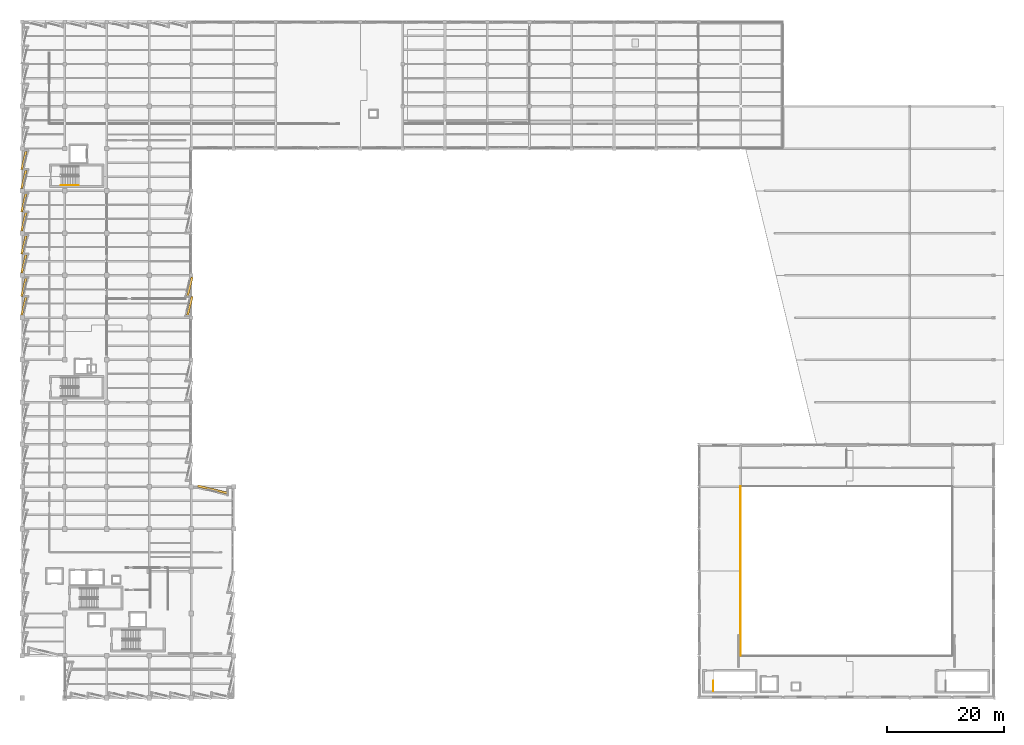
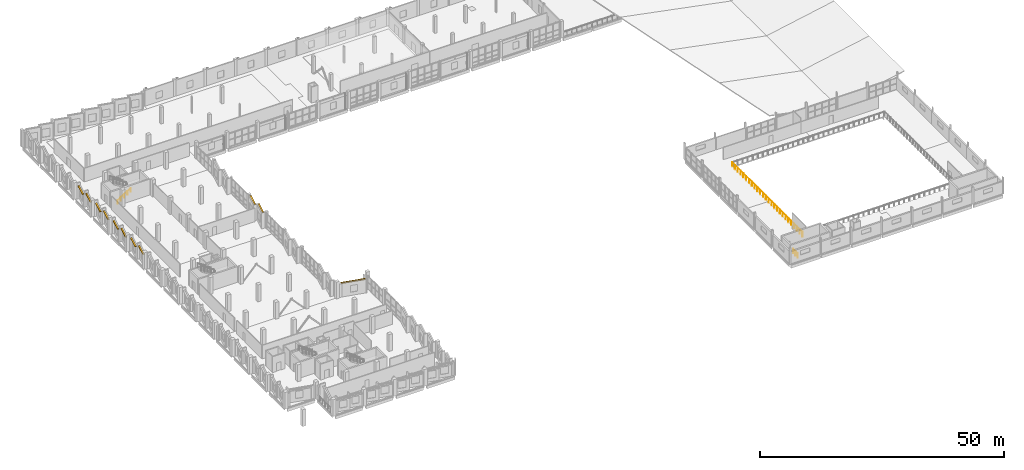
# One storey, part 85 of 94: 11 shading devices, 3 railings.
"""IFC4 building model written with IfcOpenShell, lengths in metres."""

import ifcopenshell
import ifcopenshell.guid

model = None  # the IFC model being written
_history = None  # IfcOwnerHistory: only IFC2X3 demands one
_inside = {}  # id of a spatial element -> (the spatial element, [elements in it])
_under = {}  # id of a project, library or spatial element -> (it, [spatial elements below it])
_declared = {}  # id of a project -> (the project, [libraries it declares])
_typed = {}  # id of a type object -> (the type object, [elements of that type])
_made_of = {}  # id of a material, layer set ... -> (it, [elements and type objects made of it])


def new_model(schema):
    """Start an empty IFC model of exactly this schema.

    Asked for "IFC4X3", IfcOpenShell would pick the latest addendum, in which some entities
    have other attributes; the version numbers below select the first issue.
    IFC2X3 requires an IfcOwnerHistory on every rooted entity: one is made here for all.
    """
    global model, _history
    if schema == "IFC4X3":
        model = ifcopenshell.file(schema_version=(4, 3, 0, 0))
    else:
        model = ifcopenshell.file(schema=schema)
    _inside.clear()
    _under.clear()
    _declared.clear()
    _typed.clear()
    _made_of.clear()
    _history = None
    if model.schema == "IFC2X3":
        org = make("IfcOrganization", Name="unknown")
        user = make(
            "IfcPersonAndOrganization",
            ThePerson=make("IfcPerson", FamilyName="unknown"),
            TheOrganization=org,
        )
        app = make(
            "IfcApplication",
            ApplicationDeveloper=org,
            Version="unknown",
            ApplicationFullName="unknown",
            ApplicationIdentifier="unknown",
        )
        _history = make(
            "IfcOwnerHistory",
            OwningUser=user,
            OwningApplication=app,
            ChangeAction="ADDED",
            CreationDate=0,
        )
    return model


def make(cls, **values):
    """One entity of the class cls with the attributes given. An attribute that is None is left unset."""
    return model.create_entity(
        cls, **{name: value for name, value in values.items() if value is not None}
    )


def rooted(cls, **values):
    """An entity with a GlobalId (a new one), such as an element, a storey or a relation."""
    return make(cls, GlobalId=ifcopenshell.guid.new(), OwnerHistory=_history, **values)


def si_unit(unit_type, name, prefix=None):
    """IfcSIUnit, for example si_unit("LENGTHUNIT", "METRE", prefix="MILLI")."""
    return make("IfcSIUnit", UnitType=unit_type, Prefix=prefix, Name=name)


def assignment(units):
    """IfcUnitAssignment: the units of a project."""
    return None if units is None else make("IfcUnitAssignment", Units=units)


def point(xyz):
    """IfcCartesianPoint."""
    return None if xyz is None else make("IfcCartesianPoint", Coordinates=xyz)


def direction(xyz):
    """IfcDirection."""
    return None if xyz is None else make("IfcDirection", DirectionRatios=xyz)


def frame(location, z_axis=None, x_axis=None):
    """IfcAxis2Placement3D, a coordinate frame: its origin and axes. An axis left out is left unset."""
    return make(
        "IfcAxis2Placement3D",
        Location=point(location),
        Axis=direction(z_axis),
        RefDirection=direction(x_axis),
    )


def frame_2d(location, x_axis=None):
    """IfcAxis2Placement2D, a coordinate frame in the plane: its origin and x axis."""
    return make(
        "IfcAxis2Placement2D", Location=point(location), RefDirection=direction(x_axis)
    )


def origin():
    """The frame at (0, 0, 0) with its axes left unset."""
    return frame((0.0, 0.0, 0.0))


def origin_2d():
    """The frame at (0, 0) in the plane with its x axis left unset."""
    return frame_2d((0.0, 0.0))


def place(relative_to, where):
    """IfcLocalPlacement: puts the frame where relative to a parent placement (None: the world)."""
    return make(
        "IfcLocalPlacement", PlacementRelTo=relative_to, RelativePlacement=where
    )


def context(
    kind, dimensions, precision=None, world=None, true_north=None, identifier=None
):
    """IfcGeometricRepresentationContext, for example the 3D "Model" context."""
    return make(
        "IfcGeometricRepresentationContext",
        ContextIdentifier=identifier,
        ContextType=kind,
        CoordinateSpaceDimension=dimensions,
        Precision=precision,
        WorldCoordinateSystem=world,
        TrueNorth=true_north,
    )


def subcontext(parent, identifier, kind, view, scale=None):
    """IfcGeometricRepresentationSubContext, for example "Body" below "Model"."""
    return make(
        "IfcGeometricRepresentationSubContext",
        ContextIdentifier=identifier,
        ContextType=kind,
        ParentContext=parent,
        TargetScale=scale,
        TargetView=view,
    )


def project(units=None, contexts=None):
    """IfcProject with its units and contexts."""
    return rooted(
        "IfcProject",
        Name="project",
        RepresentationContexts=contexts,
        UnitsInContext=assignment(units),
    )


def spatial(cls, under=None, at=None, **own):
    """A site, building, storey or space (cls), placed at a placement, below another one or the project."""
    s = rooted(cls, ObjectPlacement=at, **own)
    if under is not None:
        _under.setdefault(under.id(), (under, []))[1].append(s)
    return s


def profile(cls, at=None, kind="AREA", **sizes):
    """A parametric profile (cls). Its sizes go by their IFC names, for example OverallWidth=200.0."""
    return make(cls, ProfileType=kind, Position=at, **sizes)


def rectangle(**sizes):
    """IfcRectangleProfileDef."""
    return profile("IfcRectangleProfileDef", **sizes)


def circle(**sizes):
    """IfcCircleProfileDef."""
    return profile("IfcCircleProfileDef", **sizes)


def extrude(swept, where, along, depth):
    """IfcExtrudedAreaSolid: the profile swept, set in the frame where, extruded along a direction by depth."""
    return make(
        "IfcExtrudedAreaSolid",
        SweptArea=swept,
        Position=where,
        ExtrudedDirection=direction(along),
        Depth=depth,
    )


def shape(context_of_items, identifier, shape_type, items):
    """IfcShapeRepresentation: the items that make up one representation, for example the "Body"."""
    return make(
        "IfcShapeRepresentation",
        ContextOfItems=context_of_items,
        RepresentationIdentifier=identifier,
        RepresentationType=shape_type,
        Items=items,
    )


def material(Name=None, Category=None):
    """IfcMaterial."""
    return make("IfcMaterial", Name=Name, Category=Category)


def layer(
    of_material, thickness, ventilated=None, Name=None, Category=None, Priority=None
):
    """IfcMaterialLayer: one layer of a wall or slab, of a material (None: an air gap)."""
    return make(
        "IfcMaterialLayer",
        Material=of_material,
        LayerThickness=thickness,
        IsVentilated=ventilated,
        Name=Name,
        Category=Category,
        Priority=Priority,
    )


def layer_set(layers, Name=None):
    """IfcMaterialLayerSet."""
    return make("IfcMaterialLayerSet", MaterialLayers=layers, LayerSetName=Name)


def made_of(thing, what):
    """Note that an element or type object is made of a material, layer set ...; save() writes the relation."""
    if what is not None:
        _made_of.setdefault(what.id(), (what, []))[1].append(thing)
    return thing


def type_object(cls, material=None, **own):
    """A type object (cls), such as IfcWallType, which elements share."""
    return made_of(rooted(cls, **own), material)


def element(
    cls,
    number,
    at=None,
    inside=None,
    cuts=None,
    type_object=None,
    material=None,
    context=None,
    identifier="Body",
    shape_type=None,
    held_by="IfcProductDefinitionShape",
    body=None,
    shapes=None,
    **own,
):
    """One element of the class cls, such as IfcWall. Its Tag is "e" and its number.

    at: its placement. inside: the storey or other place that contains it. cuts: it is an
    opening in that element (IfcRelVoidsElement). A single representation is given by context,
    identifier, shape_type and body (its items); several are given by shapes. held_by: the class
    of the entity that holds the representations. save() writes the other relations.
    """
    e = rooted(cls, Tag="e%d" % number, ObjectPlacement=at, **own)
    if body is not None:
        shapes = [shape(context, identifier, shape_type, body)]
    if shapes is not None:
        e.Representation = make(held_by, Representations=shapes)
    if inside is not None:
        _inside.setdefault(inside.id(), (inside, []))[1].append(e)
    if cuts is not None:
        rooted(
            "IfcRelVoidsElement", RelatingBuildingElement=cuts, RelatedOpeningElement=e
        )
    if type_object is not None:
        _typed.setdefault(type_object.id(), (type_object, []))[1].append(e)
    return made_of(e, material)


def aggregate(whole, parts):
    """IfcRelAggregates: a whole, such as a stair, and the parts it consists of."""
    return rooted("IfcRelAggregates", RelatingObject=whole, RelatedObjects=parts)


def save(model, path):
    """Write the relations noted so far, then the file.

    IfcRelAggregates (storeys below a building ...), IfcRelContainedInSpatialStructure (elements
    in a storey), IfcRelDefinesByType, IfcRelAssociatesMaterial and IfcRelDeclares: one each for
    every whole, place, type object, material and project.
    """
    for whole, parts in _under.values():
        aggregate(whole, parts)
    for where, things in _inside.values():
        rooted(
            "IfcRelContainedInSpatialStructure",
            RelatedElements=things,
            RelatingStructure=where,
        )
    for kind, things in _typed.values():
        rooted("IfcRelDefinesByType", RelatedObjects=things, RelatingType=kind)
    for what, things in _made_of.values():
        rooted("IfcRelAssociatesMaterial", RelatedObjects=things, RelatingMaterial=what)
    for by, libraries in _declared.values():
        rooted("IfcRelDeclares", RelatingContext=by, RelatedDefinitions=libraries)
    model.write(path)


model = new_model("IFC4")

# Units and contexts
model_context = context("Model", 3, precision=1e-05, world=origin(), true_north=direction((0.0, 1.0)))
body_context = subcontext(model_context, "Body", "Model", "MODEL_VIEW")
ifc_project = project(units=[si_unit("LENGTHUNIT", "METRE"), si_unit("AREAUNIT", "SQUARE_METRE"), si_unit("VOLUMEUNIT", "CUBIC_METRE"), si_unit("PLANEANGLEUNIT", "RADIAN"), si_unit("MASSUNIT", "GRAM", prefix="KILO")], contexts=[model_context])

# Site, building, storey
site_placement = place(None, origin())
site = spatial("IfcSite", under=ifc_project, at=site_placement, CompositionType="ELEMENT")
building_placement = place(site_placement, origin())
building = spatial("IfcBuilding", under=site, at=building_placement, Name="Kalmorath City Hall", CompositionType="ELEMENT")
storey_placement = place(building_placement, frame((0.0, 0.0, 14.699951171875)))
storey = spatial("IfcBuildingStorey", under=building, at=storey_placement, Name="L03", CompositionType="ELEMENT", Elevation=14.699951171875)

# Railing
ifc_material_1 = material(Name="Stainless steel and laminated glass", Category="steel")
railing_type_1 = type_object("IfcRailingType", Name="Atrium and gallery crowd guardrail 1120", PredefinedType="GUARDRAIL", material=ifc_material_1)
railing_1_placement = place(storey_placement, frame((122.35009765625, 7.25, 0.0)))
element("IfcRailing", 1, at=railing_1_placement, inside=storey, type_object=railing_type_1, Name="L03 indoor void guardrail #21", PredefinedType="GUARDRAIL", context=body_context, shape_type="SweptSolid", body=[
    extrude(circle(Radius=0.02392578125, at=origin_2d()), frame((0.0, 0.0, 1.09619140625), z_axis=(0.0, 1.0, 0.0), x_axis=(-1.0, 0.0, 0.0)), (0.0, 0.0, 1.0), 28.800048828125),
    extrude(circle(Radius=0.02099609375, at=origin_2d()), origin(), (0.0, 0.0, 1.0), 1.072021484375),
    extrude(circle(Radius=0.02099609375, at=origin_2d()), frame((0.0, 1.152099609375, 0.0)), (0.0, 0.0, 1.0), 1.072021484375),
    extrude(circle(Radius=0.02099609375, at=origin_2d()), frame((0.0, 2.303955078125, 0.0)), (0.0, 0.0, 1.0), 1.072021484375),
    extrude(circle(Radius=0.02099609375, at=origin_2d()), frame((0.0, 3.4560546875, 0.0)), (0.0, 0.0, 1.0), 1.072021484375),
    extrude(circle(Radius=0.02099609375, at=origin_2d()), frame((0.0, 4.60791015625, 0.0)), (0.0, 0.0, 1.0), 1.072021484375),
    extrude(circle(Radius=0.02099609375, at=origin_2d()), frame((0.0, 5.760009765625, 0.0)), (0.0, 0.0, 1.0), 1.072021484375),
    extrude(circle(Radius=0.02099609375, at=origin_2d()), frame((0.0, 6.912109375, 0.0)), (0.0, 0.0, 1.0), 1.072021484375),
    extrude(circle(Radius=0.02099609375, at=origin_2d()), frame((0.0, 8.06396484375, 0.0)), (0.0, 0.0, 1.0), 1.072021484375),
    extrude(circle(Radius=0.02099609375, at=origin_2d()), frame((0.0, 9.216064453125, 0.0)), (0.0, 0.0, 1.0), 1.072021484375),
    extrude(circle(Radius=0.02099609375, at=origin_2d()), frame((0.0, 10.367919921875, 0.0)), (0.0, 0.0, 1.0), 1.072021484375),
    extrude(circle(Radius=0.02099609375, at=origin_2d()), frame((0.0, 11.52001953125, 0.0)), (0.0, 0.0, 1.0), 1.072021484375),
    extrude(circle(Radius=0.02099609375, at=origin_2d()), frame((0.0, 12.672119140625, 0.0)), (0.0, 0.0, 1.0), 1.072021484375),
    extrude(circle(Radius=0.02099609375, at=origin_2d()), frame((0.0, 13.823974609375, 0.0)), (0.0, 0.0, 1.0), 1.072021484375),
    extrude(circle(Radius=0.02099609375, at=origin_2d()), frame((0.0, 14.97607421875, 0.0)), (0.0, 0.0, 1.0), 1.072021484375),
    extrude(circle(Radius=0.02099609375, at=origin_2d()), frame((0.0, 16.1279296875, 0.0)), (0.0, 0.0, 1.0), 1.072021484375),
    extrude(circle(Radius=0.02099609375, at=origin_2d()), frame((0.0, 17.280029296875, 0.0)), (0.0, 0.0, 1.0), 1.072021484375),
    extrude(circle(Radius=0.02099609375, at=origin_2d()), frame((0.0, 18.43212890625, 0.0)), (0.0, 0.0, 1.0), 1.072021484375),
    extrude(circle(Radius=0.02099609375, at=origin_2d()), frame((0.0, 19.583984375, 0.0)), (0.0, 0.0, 1.0), 1.072021484375),
    extrude(circle(Radius=0.02099609375, at=origin_2d()), frame((0.0, 20.736083984375, 0.0)), (0.0, 0.0, 1.0), 1.072021484375),
    extrude(circle(Radius=0.02099609375, at=origin_2d()), frame((0.0, 21.887939453125, 0.0)), (0.0, 0.0, 1.0), 1.072021484375),
    extrude(circle(Radius=0.02099609375, at=origin_2d()), frame((0.0, 23.0400390625, 0.0)), (0.0, 0.0, 1.0), 1.072021484375),
    extrude(circle(Radius=0.02099609375, at=origin_2d()), frame((0.0, 24.192138671875, 0.0)), (0.0, 0.0, 1.0), 1.072021484375),
    extrude(circle(Radius=0.02099609375, at=origin_2d()), frame((0.0, 25.343994140625, 0.0)), (0.0, 0.0, 1.0), 1.072021484375),
    extrude(circle(Radius=0.02099609375, at=origin_2d()), frame((0.0, 26.49609375, 0.0)), (0.0, 0.0, 1.0), 1.072021484375),
    extrude(circle(Radius=0.02099609375, at=origin_2d()), frame((0.0, 27.64794921875, 0.0)), (0.0, 0.0, 1.0), 1.072021484375),
    extrude(circle(Radius=0.02099609375, at=origin_2d()), frame((0.0, 28.800048828125, 0.0)), (0.0, 0.0, 1.0), 1.072021484375),
])

# Shading devices
ifc_material_2 = material(Name="Precast concrete C40/50", Category="concrete")
ifc_layer = layer(ifc_material_2, 0.179931640625)
ifc_layer_set = layer_set([ifc_layer], Name="Precast concrete C40/50")
shading_device_type = type_object("IfcShadingDeviceType", Name="Precast sawtooth brow sunshade 350", PredefinedType="USERDEFINED", material=ifc_layer_set)
for number, where, z_axis, x_axis, name in (
    (2, (0.25439453125, 66.760498046875, 3.15625), (0.0, 0.0, 1.0), (0.233445363856, 0.972369920398, 0.0), "L03 precast sawtooth hood #300"),
    (3, (0.25439453125, 69.97216796875, 3.15625), (0.0, 0.0, 1.0), (0.233445363856, 0.972369920398, 0.0), "L03 precast sawtooth hood #301"),
):
    element("IfcShadingDevice", number, at=place(storey_placement, frame(where, z_axis=z_axis, x_axis=x_axis)), inside=storey, type_object=shading_device_type, Name=name, ObjectType="SUNSHADE", PredefinedType="USERDEFINED", context=body_context, shape_type="SweptSolid", body=[
        extrude(rectangle(XDim=3.207763671875, YDim=0.360107421875, at=origin_2d()), origin(), (0.0, 0.0, 1.0), 0.179931640625),
    ])
for number, where, z_axis, x_axis, name in (
    (4, (0.255859375, 73.94189453125, 3.15625), (0.0, 0.0, 1.0), (0.233445363856, 0.972369920398, 0.0), "L03 precast sawtooth hood #302"),
    (5, (0.255859375, 77.165771484375, 3.15625), (0.0, 0.0, 1.0), (0.233445363856, 0.972369920398, 0.0), "L03 precast sawtooth hood #303"),
    (6, (0.255859375, 81.141845703125, 3.15625), (0.0, 0.0, 1.0), (0.233445363856, 0.972369920398, 0.0), "L03 precast sawtooth hood #304"),
    (7, (0.255859375, 84.36572265625, 3.15625), (0.0, 0.0, 1.0), (0.233445363856, 0.972369920398, 0.0), "L03 precast sawtooth hood #305"),
    (8, (0.255859375, 88.341796875, 3.15625), (0.0, 0.0, 1.0), (0.233445363856, 0.972369920398, 0.0), "L03 precast sawtooth hood #306"),
    (9, (0.255859375, 91.56591796875, 3.15625), (0.0, 0.0, 1.0), (0.233445363856, 0.972369920398, 0.0), "L03 precast sawtooth hood #307"),
):
    element("IfcShadingDevice", number, at=place(storey_placement, frame(where, z_axis=z_axis, x_axis=x_axis)), inside=storey, type_object=shading_device_type, Name=name, ObjectType="SUNSHADE", PredefinedType="USERDEFINED", context=body_context, shape_type="SweptSolid", body=[
        extrude(rectangle(XDim=3.220703125, YDim=0.360107421875, at=origin_2d()), origin(), (0.0, 0.0, 1.0), 0.179931640625),
    ])
for number, where, z_axis, x_axis, name in (
    (10, (28.53515625, 70.095703125, 3.740234375), (0.0, 0.0, 1.0), (-0.233445363856, -0.972369920398, 0.0), "L03 precast sawtooth hood #342"),
    (11, (28.53515625, 66.796630859375, 3.740234375), (0.0, 0.0, 1.0), (-0.233445363856, -0.972369920398, 0.0), "L03 precast sawtooth hood #343"),
):
    element("IfcShadingDevice", number, at=place(storey_placement, frame(where, z_axis=z_axis, x_axis=x_axis)), inside=storey, type_object=shading_device_type, Name=name, ObjectType="SUNSHADE", PredefinedType="USERDEFINED", context=body_context, shape_type="SweptSolid", body=[
        extrude(rectangle(XDim=3.297607421875, YDim=0.360107421875, at=origin_2d()), origin(), (0.0, 0.0, 1.0), 0.179931640625),
    ])
shading_device_placement = place(storey_placement, frame((32.353759765625, 35.520263671875, 3.15625), z_axis=(0.0, 0.0, 1.0), x_axis=(0.972369920398, -0.233445363856, 0.0)))
element("IfcShadingDevice", 12, at=shading_device_placement, inside=storey, type_object=shading_device_type, Name="L03 precast sawtooth hood #348", ObjectType="SUNSHADE", PredefinedType="USERDEFINED", context=body_context, shape_type="SweptSolid", body=[
    extrude(rectangle(XDim=5.1376953125, YDim=0.360107421875, at=origin_2d()), origin(), (0.0, 0.0, 1.0), 0.179931640625),
])

# Railings
ifc_material_3 = material(Name="Painted steel guardrail", Category="steel")
railing_type_2 = type_object("IfcRailingType", Name="Protected stair guardrail 1100", PredefinedType="GUARDRAIL", material=ifc_material_3)
railing_2_placement = place(storey_placement, frame((117.699951171875, 1.199951171875, 0.0)))
element("IfcRailing", 13, at=railing_2_placement, inside=storey, type_object=railing_type_2, Name="L03 ST-5 top well guard 1", PredefinedType="GUARDRAIL", context=body_context, shape_type="SweptSolid", body=[
    extrude(circle(Radius=0.02392578125, at=origin_2d()), frame((0.0, 0.0, 1.076171875), z_axis=(0.0, 1.0, 0.0), x_axis=(-1.0, 0.0, 0.0)), (0.0, 0.0, 1.0), 1.75),
    extrude(circle(Radius=0.02099609375, at=origin_2d()), origin(), (0.0, 0.0, 1.0), 1.052001953125),
    extrude(circle(Radius=0.02099609375, at=origin_2d()), frame((0.0, 0.875, 0.0)), (0.0, 0.0, 1.0), 1.052001953125),
    extrude(circle(Radius=0.02099609375, at=origin_2d()), frame((0.0, 1.75, 0.0)), (0.0, 0.0, 1.0), 1.052001953125),
])
ifc_material_4 = material(Name="Brushed stainless steel handrail", Category="steel")
railing_type_3 = type_object("IfcRailingType", Name="Stair pitch handrail 900", PredefinedType="HANDRAIL", material=ifc_material_4)
railing_3_placement = place(storey_placement, frame((6.550048828125, 87.35009765625, 0.175048828125)))
element("IfcRailing", 14, at=railing_3_placement, inside=storey, type_object=railing_type_3, Name="L03 ST-4 stair handrail 1", PredefinedType="HANDRAIL", context=body_context, shape_type="SweptSolid", body=[
    extrude(circle(Radius=0.02392578125, at=origin_2d()), frame((0.0, 0.0, 0.8759765625), z_axis=(0.847979421464, 0.0, 0.530029150871), x_axis=(0.0, 1.0, 0.0)), (0.0, 0.0, 1.0), 3.632080078125),
    extrude(circle(Radius=0.02099609375, at=origin_2d()), origin(), (0.0, 0.0, 1.0), 0.851806640625),
    extrude(circle(Radius=0.02099609375, at=origin_2d()), frame((0.77001953125, 0.0, 0.481201171875)), (0.0, 0.0, 1.0), 0.851806640625),
    extrude(circle(Radius=0.02099609375, at=origin_2d()), frame((1.5400390625, 0.0, 0.96240234375)), (0.0, 0.0, 1.0), 0.851806640625),
    extrude(circle(Radius=0.02099609375, at=origin_2d()), frame((2.309814453125, 0.0, 1.44384765625)), (0.0, 0.0, 1.0), 0.851806640625),
    extrude(circle(Radius=0.02099609375, at=origin_2d()), frame((3.079833984375, 0.0, 1.925048828125)), (0.0, 0.0, 1.0), 0.851806640625),
])

save(model, "model.ifc")
